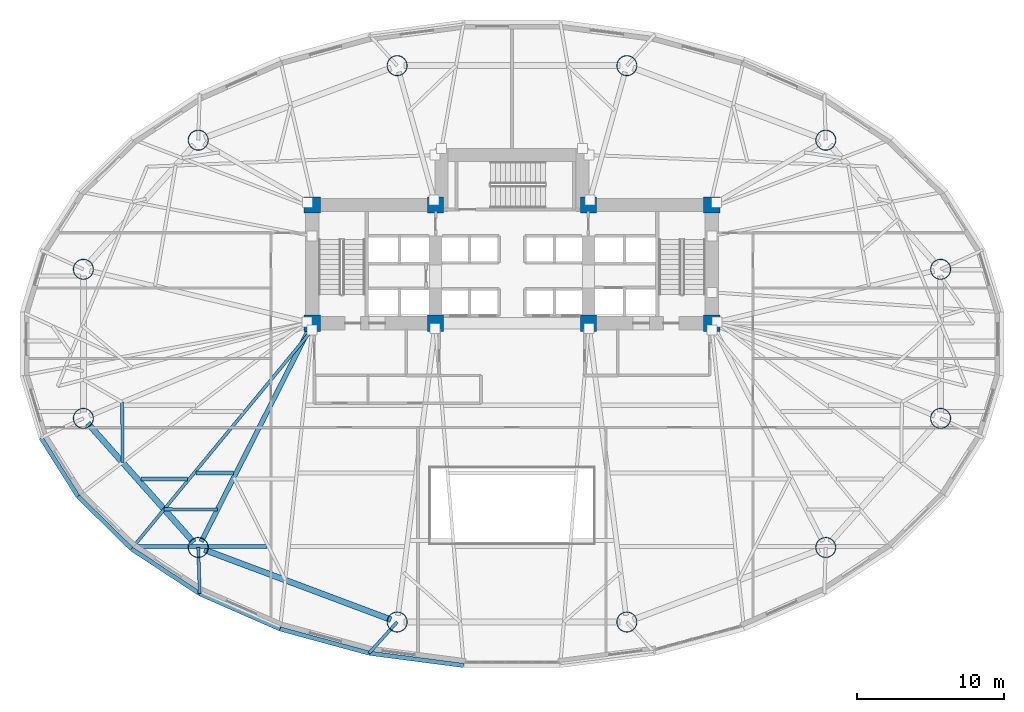
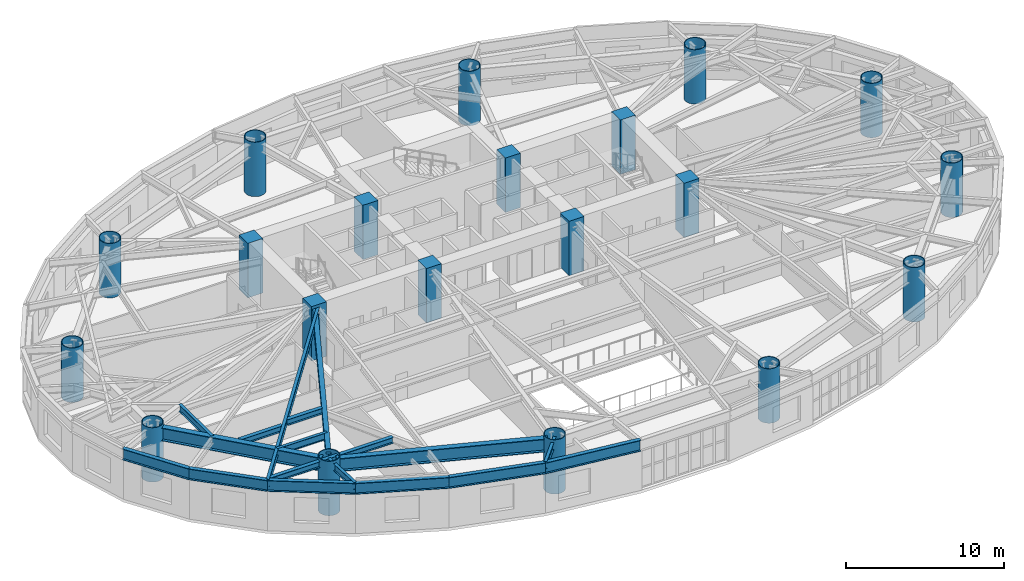
# One storey, part 1 of 19: 20 columns, 17 beams.
"""IFC4 building model written with IfcOpenShell, lengths in metres."""

from ifc_helpers import new_model, si_unit, direction, frame, origin, origin_2d, place, context, subcontext, project, spatial, rectangle, hollow_circle, i_section, extrude, material, material_profile, profile_set, type_object, element, save


model = new_model("IFC4")

# Units and contexts
model_context = context("Model", 3, precision=1e-05, world=origin(), true_north=direction((0.0, 1.0)))
body_context = subcontext(model_context, "Body", "Model", "MODEL_VIEW")
ifc_project = project(units=[si_unit("LENGTHUNIT", "METRE"), si_unit("AREAUNIT", "SQUARE_METRE"), si_unit("VOLUMEUNIT", "CUBIC_METRE"), si_unit("PLANEANGLEUNIT", "RADIAN"), si_unit("MASSUNIT", "GRAM", prefix="KILO")], contexts=[model_context])

# Site, building, storey
site_placement = place(None, origin())
site = spatial("IfcSite", under=ifc_project, at=site_placement, CompositionType="ELEMENT")
building_placement = place(site_placement, origin())
building = spatial("IfcBuilding", under=site, at=building_placement, Name="Keldmark Tower", CompositionType="ELEMENT")
storey_placement = place(building_placement, frame((0.0, 0.0, 10.199951171875)))
storey = spatial("IfcBuildingStorey", under=building, at=storey_placement, Name="L02", CompositionType="ELEMENT", Elevation=10.199951171875)

# Columns
ifc_material_1 = material(Name="Concrete C70/85", Category="concrete")
ifc_material_profile_1 = material_profile(ifc_material_1, rectangle(XDim=1.10009765625, YDim=1.10009765625, at=origin_2d()), Name="RC1100X1100")
ifc_profile_set_1 = profile_set([ifc_material_profile_1], Name="Concrete C70/85")
column_type_1 = type_object("IfcColumnType", Name="Core Boundary Column RC1100", PredefinedType="COLUMN", material=ifc_profile_set_1)
for number, where, z_axis, x_axis, name in (
    (1, (-13.60009765625, 1.39990234375, 0.0), (0.0, 0.0, 1.0), (1.0, 0.0, 0.0), "L02 Core Boundary Column CC-W1"),
    (2, (-13.60009765625, 9.449951171875, 0.0), (0.0, 0.0, 1.0), (1.0, 0.0, 0.0), "L02 Core Boundary Column CC-W2"),
    (3, (-5.199951171875, 1.39990234375, 0.0), (0.0, 0.0, 1.0), (1.0, 0.0, 0.0), "L02 Core Boundary Column CC-W3"),
    (4, (-5.199951171875, 9.449951171875, 0.0), (0.0, 0.0, 1.0), (1.0, 0.0, 0.0), "L02 Core Boundary Column CC-W4"),
    (5, (5.199951171875, 1.39990234375, 0.0), (0.0, 0.0, 1.0), (1.0, 0.0, 0.0), "L02 Core Boundary Column CC-E1"),
    (6, (5.199951171875, 9.449951171875, 0.0), (0.0, 0.0, 1.0), (1.0, 0.0, 0.0), "L02 Core Boundary Column CC-E2"),
    (7, (13.60009765625, 1.39990234375, 0.0), (0.0, 0.0, 1.0), (1.0, 0.0, 0.0), "L02 Core Boundary Column CC-E3"),
    (8, (13.60009765625, 9.449951171875, 0.0), (0.0, 0.0, 1.0), (1.0, 0.0, 0.0), "L02 Core Boundary Column CC-E4"),
):
    element("IfcColumn", number, at=place(storey_placement, frame(where, z_axis=z_axis, x_axis=x_axis)), inside=storey, type_object=column_type_1, Name=name, PredefinedType="COLUMN", context=body_context, shape_type="SweptSolid", body=[
        extrude(rectangle(XDim=1.10009765625, YDim=1.10009765625, at=origin_2d()), origin(), (0.0, 0.0, 1.0), 4.199951171875),
    ])
ifc_material_2 = material(Name="Steel ASTM A572 Grade 50", Category="steel")
ifc_material_profile_2 = material_profile(ifc_material_2, hollow_circle(Radius=0.699951171875, WallThickness=0.050048828125, at=origin_2d()), Name="CHS1400X50")
ifc_profile_set_2 = profile_set([ifc_material_profile_2], Name="Steel ASTM A572 Grade 50")
column_type_2 = type_object("IfcColumnType", Name="Pilotis Mega-Column Upper CHS1400", PredefinedType="USERDEFINED", material=ifc_profile_set_2)
for number, where, z_axis, x_axis, name in (
    (9, (29.1708984375, 5.072998046875, 0.0), (0.0, 0.0, 1.0), (1.0, 0.0, 0.0), "L02 Pilotis Mega-Column MC-01"),
    (10, (21.3544921875, 13.859375, 0.0), (0.0, 0.0, 1.0), (1.0, 0.0, 0.0), "L02 Pilotis Mega-Column MC-02"),
    (11, (7.81640625, 18.93212890625, 0.0), (0.0, 0.0, 1.0), (1.0, 0.0, 0.0), "L02 Pilotis Mega-Column MC-03"),
    (12, (-7.81640625, 18.93212890625, 0.0), (0.0, 0.0, 1.0), (1.0, 0.0, 0.0), "L02 Pilotis Mega-Column MC-04"),
    (13, (-21.3544921875, 13.859375, 0.0), (0.0, 0.0, 1.0), (1.0, 0.0, 0.0), "L02 Pilotis Mega-Column MC-05"),
    (14, (-29.1708984375, 5.072998046875, 0.0), (0.0, 0.0, 1.0), (1.0, 0.0, 0.0), "L02 Pilotis Mega-Column MC-06"),
    (15, (-29.1708984375, -5.072998046875, 0.0), (0.0, 0.0, 1.0), (1.0, 0.0, 0.0), "L02 Pilotis Mega-Column MC-07"),
    (16, (-21.3544921875, -13.859375, 0.0), (0.0, 0.0, 1.0), (1.0, 0.0, 0.0), "L02 Pilotis Mega-Column MC-08"),
    (17, (-7.81640625, -18.93212890625, 0.0), (0.0, 0.0, 1.0), (1.0, 0.0, 0.0), "L02 Pilotis Mega-Column MC-09"),
    (18, (7.81640625, -18.93212890625, 0.0), (0.0, 0.0, 1.0), (1.0, 0.0, 0.0), "L02 Pilotis Mega-Column MC-10"),
    (19, (21.3544921875, -13.859375, 0.0), (0.0, 0.0, 1.0), (1.0, 0.0, 0.0), "L02 Pilotis Mega-Column MC-11"),
    (20, (29.1708984375, -5.072998046875, 0.0), (0.0, 0.0, 1.0), (1.0, 0.0, 0.0), "L02 Pilotis Mega-Column MC-12"),
):
    element("IfcColumn", number, at=place(storey_placement, frame(where, z_axis=z_axis, x_axis=x_axis)), inside=storey, type_object=column_type_2, Name=name, ObjectType="MEGA COLUMN", PredefinedType="USERDEFINED", context=body_context, shape_type="SweptSolid", body=[
        extrude(hollow_circle(Radius=0.699951171875, WallThickness=0.050048828125, at=origin_2d()), origin(), (0.0, 0.0, 1.0), 4.199951171875),
    ])

# Beams
ifc_material_3 = material(Name="Steel ASTM A992 Grade 50", Category="steel")
ifc_material_profile_3 = material_profile(ifc_material_3, i_section(OverallWidth=0.280029296875, OverallDepth=0.462890625, WebThickness=0.0107421875, FlangeThickness=0.017333984375, at=origin_2d()), Name="W18X76")
ifc_profile_set_3 = profile_set([ifc_material_profile_3], Name="Steel ASTM A992 Grade 50")
beam_type_1 = type_object("IfcBeamType", Name="Composite Floor Joist W18X76", PredefinedType="JOIST", material=ifc_profile_set_3)
beam_1_placement = place(storey_placement, frame((-25.640625, -13.800048828125, 3.74853515625), z_axis=(1.0, 0.0, 0.0), x_axis=(0.0, 1.0, 0.0)))
element("IfcBeam", 21, at=beam_1_placement, inside=storey, type_object=beam_type_1, Name="L02 Composite Floor Joist J01", PredefinedType="JOIST", context=body_context, shape_type="SweptSolid", body=[
    extrude(i_section(OverallWidth=0.280029296875, OverallDepth=0.462890625, WebThickness=0.0107421875, FlangeThickness=0.017333984375, at=origin_2d()), origin(), (0.0, 0.0, 1.0), 8.95751953125),
])
beam_2_placement = place(storey_placement, frame((-25.240966796875, -9.199951171875, 3.74853515625), z_axis=(1.0, 0.0, 0.0), x_axis=(0.0, 1.0, 0.0)))
element("IfcBeam", 22, at=beam_2_placement, inside=storey, type_object=beam_type_1, Name="L02 Composite Floor Joist J08", PredefinedType="JOIST", context=body_context, shape_type="SweptSolid", body=[
    extrude(i_section(OverallWidth=0.280029296875, OverallDepth=0.462890625, WebThickness=0.0107421875, FlangeThickness=0.017333984375, at=origin_2d()), origin(), (0.0, 0.0, 1.0), 3.142822265625),
])
beam_3_placement = place(storey_placement, frame((-21.5, -8.780029296875, 3.74853515625), z_axis=(1.0, 0.0, 0.0), x_axis=(0.0, 1.0, 0.0)))
element("IfcBeam", 23, at=beam_3_placement, inside=storey, type_object=beam_type_1, Name="L02 Composite Floor Joist J09", PredefinedType="JOIST", context=body_context, shape_type="SweptSolid", body=[
    extrude(i_section(OverallWidth=0.280029296875, OverallDepth=0.462890625, WebThickness=0.0107421875, FlangeThickness=0.017333984375, at=origin_2d()), origin(), (0.0, 0.0, 1.0), 2.552734375),
])
ifc_material_4 = material(Name="Steel ASTM A992 Grade 50", Category="steel")
ifc_material_profile_4 = material_profile(ifc_material_4, i_section(OverallWidth=0.402099609375, OverallDepth=1.011962890625, WebThickness=0.023681640625, FlangeThickness=0.0419921875, at=origin_2d()), Name="W40X297")
ifc_profile_set_4 = profile_set([ifc_material_profile_4], Name="Steel ASTM A992 Grade 50")
beam_type_2 = type_object("IfcBeamType", Name="Podium Primary Girder W40X297", PredefinedType="BEAM", material=ifc_profile_set_4)
beam_4_placement = place(storey_placement, frame((-28.871826171875, -5.4091796875, 3.47412109375), z_axis=(0.66464984112, -0.747154996436, 0.0), x_axis=(0.747154996436, 0.66464984112, 0.0)))
element("IfcBeam", 24, at=beam_4_placement, inside=storey, type_object=beam_type_2, Name="L02 Podium Ring Girder PG-R07", PredefinedType="BEAM", context=body_context, shape_type="SweptSolid", body=[
    extrude(i_section(OverallWidth=0.402099609375, OverallDepth=1.011962890625, WebThickness=0.023681640625, FlangeThickness=0.0419921875, at=origin_2d()), origin(), (0.0, 0.0, 1.0), 10.85986328125),
])
beam_5_placement = place(storey_placement, frame((-20.93310546875, -14.01708984375, 3.47412109375), z_axis=(0.936417954382, -0.350886612329, 0.0), x_axis=(0.350886612329, 0.936417954382, 0.0)))
element("IfcBeam", 25, at=beam_5_placement, inside=storey, type_object=beam_type_2, Name="L02 Podium Ring Girder PG-R08", PredefinedType="BEAM", context=body_context, shape_type="SweptSolid", body=[
    extrude(i_section(OverallWidth=0.402099609375, OverallDepth=1.011962890625, WebThickness=0.023681640625, FlangeThickness=0.0419921875, at=origin_2d()), origin(), (0.0, 0.0, 1.0), 13.557373046875),
])
ifc_material_5 = material(Name="Steel ASTM A992 Grade 50", Category="steel")
ifc_material_profile_5 = material_profile(ifc_material_5, i_section(OverallWidth=0.2099609375, OverallDepth=0.537109375, WebThickness=0.010986328125, FlangeThickness=0.017333984375, at=origin_2d()), Name="W21X68")
ifc_profile_set_5 = profile_set([ifc_material_profile_5], Name="Steel ASTM A992 Grade 50")
beam_type_3 = type_object("IfcBeamType", Name="Radial Tie Girder W21X68", PredefinedType="BEAM", material=ifc_profile_set_5)
beam_6_placement = place(storey_placement, frame((-26.53076171875, -3.975341796875, 3.711669921875), z_axis=(0.005253345215, -0.999986201087, 0.0), x_axis=(0.999986201087, 0.005253345215, 0.0)))
element("IfcBeam", 26, at=beam_6_placement, inside=storey, type_object=beam_type_3, Name="L02 Framing Pin Header PH-019", PredefinedType="BEAM", context=body_context, shape_type="SweptSolid", body=[
    extrude(i_section(OverallWidth=0.2099609375, OverallDepth=0.537109375, WebThickness=0.010986328125, FlangeThickness=0.017333984375, at=origin_2d()), origin(), (0.0, 0.0, 1.0), 4.089599609375),
])
beam_7_placement = place(storey_placement, frame((-20.0419921875, -11.276123046875, 3.711669921875), z_axis=(-0.999986569863, 0.005182672537, 0.0), x_axis=(-0.005182672537, -0.999986569863, 0.0)))
element("IfcBeam", 27, at=beam_7_placement, inside=storey, type_object=beam_type_3, Name="L02 Framing Pin Header PH-020", PredefinedType="BEAM", context=body_context, shape_type="SweptSolid", body=[
    extrude(i_section(OverallWidth=0.2099609375, OverallDepth=0.537109375, WebThickness=0.010986328125, FlangeThickness=0.017333984375, at=origin_2d()), origin(), (0.0, 0.0, 1.0), 3.627197265625),
])
beam_8_placement = place(storey_placement, frame((-13.60009765625, 0.949951171875, 3.711669921875), z_axis=(-0.636316421227, -0.771428163912, 0.0), x_axis=(0.771428163912, -0.636316421227, 0.0)))
element("IfcBeam", 28, at=beam_8_placement, inside=storey, type_object=beam_type_3, Name="L02 Perimeter Radial Tie Girder RT-20", PredefinedType="BEAM", context=body_context, shape_type="SweptSolid", body=[
    extrude(i_section(OverallWidth=0.2099609375, OverallDepth=0.537109375, WebThickness=0.010986328125, FlangeThickness=0.017333984375, at=origin_2d()), origin(), (0.0, 0.0, 1.0), 19.323486328125),
])
beam_9_placement = place(storey_placement, frame((-21.3544921875, -13.859375, 3.711669921875), z_axis=(0.032491176768, -0.999472022336, 0.0), x_axis=(0.999472022336, 0.032491176768, 0.0)))
element("IfcBeam", 29, at=beam_9_placement, inside=storey, type_object=beam_type_3, Name="L02 Perimeter Column Bracket RT-21", PredefinedType="BEAM", context=body_context, shape_type="SweptSolid", body=[
    extrude(i_section(OverallWidth=0.2099609375, OverallDepth=0.537109375, WebThickness=0.010986328125, FlangeThickness=0.017333984375, at=origin_2d()), origin(), (0.0, 0.0, 1.0), 3.1484375),
])
beam_10_placement = place(storey_placement, frame((-7.81640625, -18.93212890625, 3.711669921875), z_axis=(-0.668898533975, -0.743353718795, 0.0), x_axis=(0.743353718795, -0.668898533975, 0.0)))
element("IfcBeam", 30, at=beam_10_placement, inside=storey, type_object=beam_type_3, Name="L02 Perimeter Column Bracket RT-23", PredefinedType="BEAM", context=body_context, shape_type="SweptSolid", body=[
    extrude(i_section(OverallWidth=0.2099609375, OverallDepth=0.537109375, WebThickness=0.010986328125, FlangeThickness=0.017333984375, at=origin_2d()), origin(), (0.0, 0.0, 1.0), 2.852783203125),
])
ifc_material_6 = material(Name="Steel ASTM A992 Grade 50", Category="steel")
ifc_material_profile_6 = material_profile(ifc_material_6, i_section(OverallWidth=0.326904296875, OverallDepth=0.6220703125, WebThickness=0.015380859375, FlangeThickness=0.0244140625, at=origin_2d()), Name="W24X131")
ifc_profile_set_6 = profile_set([ifc_material_profile_6], Name="Steel ASTM A992 Grade 50")
beam_type_4 = type_object("IfcBeamType", Name="Spandrel Ring Beam W24X131", PredefinedType="SPANDREL", material=ifc_profile_set_6)
beam_11_placement = place(storey_placement, frame((-21.150634765625, -13.4580078125, 3.6689453125), z_axis=(0.45304555932, 0.891487364566, 0.0), x_axis=(-0.891487364566, 0.45304555932, 0.0)))
element("IfcBeam", 31, at=beam_11_placement, inside=storey, type_object=beam_type_4, Name="L02 Podium Radial Girder PG-C08", PredefinedType="SPANDREL", context=body_context, shape_type="SweptSolid", body=[
    extrude(i_section(OverallWidth=0.326904296875, OverallDepth=0.6220703125, WebThickness=0.015380859375, FlangeThickness=0.0244140625, at=origin_2d()), origin(), (0.0, 0.0, 1.0), 16.31640625),
])
ifc_material_7 = material(Name="Steel ASTM A992 Grade 50", Category="steel")
ifc_material_profile_7 = material_profile(ifc_material_7, i_section(OverallWidth=0.2919921875, OverallDepth=0.85888671875, WebThickness=0.01708984375, FlangeThickness=0.031005859375, at=origin_2d()), Name="W33X169")
ifc_profile_set_7 = profile_set([ifc_material_profile_7], Name="Steel ASTM A992 Grade 50")
beam_type_5 = type_object("IfcBeamType", Name="Spandrel Ring Beam W33X169", PredefinedType="SPANDREL", material=ifc_profile_set_7)
beam_12_placement = place(storey_placement, frame((-32.0576171875, -6.38623046875, 3.550537109375), z_axis=(0.53349762721, -0.845801561693, 0.0), x_axis=(0.845801561693, 0.53349762721, 0.0)))
element("IfcBeam", 32, at=beam_12_placement, inside=storey, type_object=beam_type_5, Name="L02 Perimeter Spandrel Ring Beam SRB-18", PredefinedType="SPANDREL", context=body_context, shape_type="SweptSolid", body=[
    extrude(i_section(OverallWidth=0.2919921875, OverallDepth=0.85888671875, WebThickness=0.01708984375, FlangeThickness=0.031005859375, at=origin_2d()), origin(), (0.0, 0.0, 1.0), 4.710693359375),
])
beam_13_placement = place(storey_placement, frame((-29.54443359375, -10.37060546875, 3.550537109375), z_axis=(0.713165222071, -0.700995981464, 0.0), x_axis=(0.700995981464, 0.713165222071, 0.0)))
element("IfcBeam", 33, at=beam_13_placement, inside=storey, type_object=beam_type_5, Name="L02 Perimeter Spandrel Ring Beam SRB-19", PredefinedType="SPANDREL", context=body_context, shape_type="SweptSolid", body=[
    extrude(i_section(OverallWidth=0.2919921875, OverallDepth=0.85888671875, WebThickness=0.01708984375, FlangeThickness=0.031005859375, at=origin_2d()), origin(), (0.0, 0.0, 1.0), 5.11572265625),
])
beam_14_placement = place(storey_placement, frame((-25.89599609375, -13.956787109375, 3.550537109375), z_axis=(0.835897322981, -0.548885840073, 0.0), x_axis=(0.548885840073, 0.835897322981, 0.0)))
element("IfcBeam", 34, at=beam_14_placement, inside=storey, type_object=beam_type_5, Name="L02 Perimeter Spandrel Ring Beam SRB-20", PredefinedType="SPANDREL", context=body_context, shape_type="SweptSolid", body=[
    extrude(i_section(OverallWidth=0.2919921875, OverallDepth=0.85888671875, WebThickness=0.01708984375, FlangeThickness=0.031005859375, at=origin_2d()), origin(), (0.0, 0.0, 1.0), 5.555419921875),
])
beam_15_placement = place(storey_placement, frame((-21.252197265625, -17.006103515625, 3.550537109375), z_axis=(0.91570760638, -0.401845218484, 0.0), x_axis=(0.401845218484, 0.91570760638, 0.0)))
element("IfcBeam", 35, at=beam_15_placement, inside=storey, type_object=beam_type_5, Name="L02 Perimeter Spandrel Ring Beam SRB-21", PredefinedType="SPANDREL", context=body_context, shape_type="SweptSolid", body=[
    extrude(i_section(OverallWidth=0.2919921875, OverallDepth=0.85888671875, WebThickness=0.01708984375, FlangeThickness=0.031005859375, at=origin_2d()), origin(), (0.0, 0.0, 1.0), 5.963134765625),
])
beam_16_placement = place(storey_placement, frame((-15.791748046875, -19.40234375, 3.550537109375), z_axis=(0.964936550718, -0.262483243445, 0.0), x_axis=(0.262483243445, 0.964936550718, 0.0)))
element("IfcBeam", 36, at=beam_16_placement, inside=storey, type_object=beam_type_5, Name="L02 Perimeter Spandrel Ring Beam SRB-22", PredefinedType="SPANDREL", context=body_context, shape_type="SweptSolid", body=[
    extrude(i_section(OverallWidth=0.2919921875, OverallDepth=0.85888671875, WebThickness=0.01708984375, FlangeThickness=0.031005859375, at=origin_2d()), origin(), (0.0, 0.0, 1.0), 6.28759765625),
])
beam_17_placement = place(storey_placement, frame((-9.724609375, -21.052734375, 3.550537109375), z_axis=(0.991576921472, -0.129519144545, 0.0), x_axis=(0.129519144545, 0.991576921472, 0.0)))
element("IfcBeam", 37, at=beam_17_placement, inside=storey, type_object=beam_type_5, Name="L02 Perimeter Spandrel Ring Beam SRB-23", PredefinedType="SPANDREL", context=body_context, shape_type="SweptSolid", body=[
    extrude(i_section(OverallWidth=0.2919921875, OverallDepth=0.85888671875, WebThickness=0.01708984375, FlangeThickness=0.031005859375, at=origin_2d()), origin(), (0.0, 0.0, 1.0), 6.49560546875),
])

save(model, "model.ifc")
